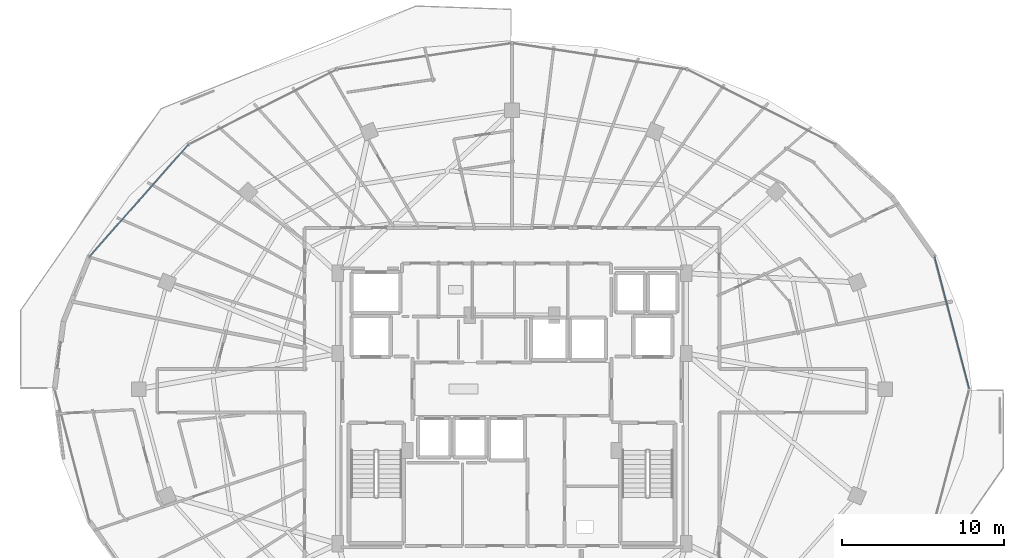
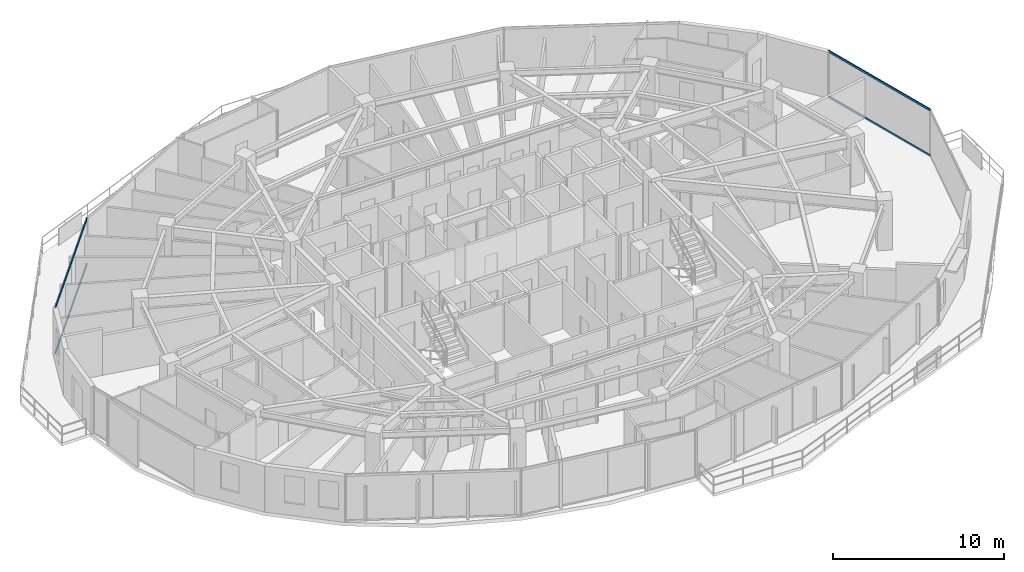
# One storey, part 17 of 34: 4 members, 2 elements without a shape of their own.
"""IFC4 building model written with IfcOpenShell, lengths in metres."""

import ifcopenshell
import ifcopenshell.guid

model = None  # the IFC model being written
_history = None  # IfcOwnerHistory: only IFC2X3 demands one
_inside = {}  # id of a spatial element -> (the spatial element, [elements in it])
_under = {}  # id of a project, library or spatial element -> (it, [spatial elements below it])
_declared = {}  # id of a project -> (the project, [libraries it declares])
_typed = {}  # id of a type object -> (the type object, [elements of that type])
_made_of = {}  # id of a material, layer set ... -> (it, [elements and type objects made of it])


def new_model(schema):
    """Start an empty IFC model of exactly this schema.

    Asked for "IFC4X3", IfcOpenShell would pick the latest addendum, in which some entities
    have other attributes; the version numbers below select the first issue.
    IFC2X3 requires an IfcOwnerHistory on every rooted entity: one is made here for all.
    """
    global model, _history
    if schema == "IFC4X3":
        model = ifcopenshell.file(schema_version=(4, 3, 0, 0))
    else:
        model = ifcopenshell.file(schema=schema)
    _inside.clear()
    _under.clear()
    _declared.clear()
    _typed.clear()
    _made_of.clear()
    _history = None
    if model.schema == "IFC2X3":
        org = make("IfcOrganization", Name="unknown")
        user = make(
            "IfcPersonAndOrganization",
            ThePerson=make("IfcPerson", FamilyName="unknown"),
            TheOrganization=org,
        )
        app = make(
            "IfcApplication",
            ApplicationDeveloper=org,
            Version="unknown",
            ApplicationFullName="unknown",
            ApplicationIdentifier="unknown",
        )
        _history = make(
            "IfcOwnerHistory",
            OwningUser=user,
            OwningApplication=app,
            ChangeAction="ADDED",
            CreationDate=0,
        )
    return model


def make(cls, **values):
    """One entity of the class cls with the attributes given. An attribute that is None is left unset."""
    return model.create_entity(
        cls, **{name: value for name, value in values.items() if value is not None}
    )


def rooted(cls, **values):
    """An entity with a GlobalId (a new one), such as an element, a storey or a relation."""
    return make(cls, GlobalId=ifcopenshell.guid.new(), OwnerHistory=_history, **values)


def si_unit(unit_type, name, prefix=None):
    """IfcSIUnit, for example si_unit("LENGTHUNIT", "METRE", prefix="MILLI")."""
    return make("IfcSIUnit", UnitType=unit_type, Prefix=prefix, Name=name)


def assignment(units):
    """IfcUnitAssignment: the units of a project."""
    return None if units is None else make("IfcUnitAssignment", Units=units)


def point(xyz):
    """IfcCartesianPoint."""
    return None if xyz is None else make("IfcCartesianPoint", Coordinates=xyz)


def direction(xyz):
    """IfcDirection."""
    return None if xyz is None else make("IfcDirection", DirectionRatios=xyz)


def frame(location, z_axis=None, x_axis=None):
    """IfcAxis2Placement3D, a coordinate frame: its origin and axes. An axis left out is left unset."""
    return make(
        "IfcAxis2Placement3D",
        Location=point(location),
        Axis=direction(z_axis),
        RefDirection=direction(x_axis),
    )


def frame_2d(location, x_axis=None):
    """IfcAxis2Placement2D, a coordinate frame in the plane: its origin and x axis."""
    return make(
        "IfcAxis2Placement2D", Location=point(location), RefDirection=direction(x_axis)
    )


def origin():
    """The frame at (0, 0, 0) with its axes left unset."""
    return frame((0.0, 0.0, 0.0))


def origin_2d():
    """The frame at (0, 0) in the plane with its x axis left unset."""
    return frame_2d((0.0, 0.0))


def place(relative_to, where):
    """IfcLocalPlacement: puts the frame where relative to a parent placement (None: the world)."""
    return make(
        "IfcLocalPlacement", PlacementRelTo=relative_to, RelativePlacement=where
    )


def context(
    kind, dimensions, precision=None, world=None, true_north=None, identifier=None
):
    """IfcGeometricRepresentationContext, for example the 3D "Model" context."""
    return make(
        "IfcGeometricRepresentationContext",
        ContextIdentifier=identifier,
        ContextType=kind,
        CoordinateSpaceDimension=dimensions,
        Precision=precision,
        WorldCoordinateSystem=world,
        TrueNorth=true_north,
    )


def subcontext(parent, identifier, kind, view, scale=None):
    """IfcGeometricRepresentationSubContext, for example "Body" below "Model"."""
    return make(
        "IfcGeometricRepresentationSubContext",
        ContextIdentifier=identifier,
        ContextType=kind,
        ParentContext=parent,
        TargetScale=scale,
        TargetView=view,
    )


def project(units=None, contexts=None):
    """IfcProject with its units and contexts."""
    return rooted(
        "IfcProject",
        Name="project",
        RepresentationContexts=contexts,
        UnitsInContext=assignment(units),
    )


def spatial(cls, under=None, at=None, **own):
    """A site, building, storey or space (cls), placed at a placement, below another one or the project."""
    s = rooted(cls, ObjectPlacement=at, **own)
    if under is not None:
        _under.setdefault(under.id(), (under, []))[1].append(s)
    return s


def profile(cls, at=None, kind="AREA", **sizes):
    """A parametric profile (cls). Its sizes go by their IFC names, for example OverallWidth=200.0."""
    return make(cls, ProfileType=kind, Position=at, **sizes)


def hollow_rectangle(**sizes):
    """IfcRectangleHollowProfileDef."""
    return profile("IfcRectangleHollowProfileDef", **sizes)


def extrude(swept, where, along, depth):
    """IfcExtrudedAreaSolid: the profile swept, set in the frame where, extruded along a direction by depth."""
    return make(
        "IfcExtrudedAreaSolid",
        SweptArea=swept,
        Position=where,
        ExtrudedDirection=direction(along),
        Depth=depth,
    )


def shape(context_of_items, identifier, shape_type, items):
    """IfcShapeRepresentation: the items that make up one representation, for example the "Body"."""
    return make(
        "IfcShapeRepresentation",
        ContextOfItems=context_of_items,
        RepresentationIdentifier=identifier,
        RepresentationType=shape_type,
        Items=items,
    )


def material(Name=None, Category=None):
    """IfcMaterial."""
    return make("IfcMaterial", Name=Name, Category=Category)


def material_profile(
    of_material, cross_section, Name=None, Category=None, Priority=None
):
    """IfcMaterialProfile: a cross section and its material."""
    return make(
        "IfcMaterialProfile",
        Name=Name,
        Material=of_material,
        Profile=cross_section,
        Priority=Priority,
        Category=Category,
    )


def profile_set(profiles, Name=None, composite=None):
    """IfcMaterialProfileSet."""
    return make(
        "IfcMaterialProfileSet",
        Name=Name,
        MaterialProfiles=profiles,
        CompositeProfile=composite,
    )


def made_of(thing, what):
    """Note that an element or type object is made of a material, layer set ...; save() writes the relation."""
    if what is not None:
        _made_of.setdefault(what.id(), (what, []))[1].append(thing)
    return thing


def type_object(cls, material=None, **own):
    """A type object (cls), such as IfcWallType, which elements share."""
    return made_of(rooted(cls, **own), material)


def element(
    cls,
    number,
    at=None,
    inside=None,
    cuts=None,
    type_object=None,
    material=None,
    context=None,
    identifier="Body",
    shape_type=None,
    held_by="IfcProductDefinitionShape",
    body=None,
    shapes=None,
    **own,
):
    """One element of the class cls, such as IfcWall. Its Tag is "e" and its number.

    at: its placement. inside: the storey or other place that contains it. cuts: it is an
    opening in that element (IfcRelVoidsElement). A single representation is given by context,
    identifier, shape_type and body (its items); several are given by shapes. held_by: the class
    of the entity that holds the representations. save() writes the other relations.
    """
    e = rooted(cls, Tag="e%d" % number, ObjectPlacement=at, **own)
    if body is not None:
        shapes = [shape(context, identifier, shape_type, body)]
    if shapes is not None:
        e.Representation = make(held_by, Representations=shapes)
    if inside is not None:
        _inside.setdefault(inside.id(), (inside, []))[1].append(e)
    if cuts is not None:
        rooted(
            "IfcRelVoidsElement", RelatingBuildingElement=cuts, RelatedOpeningElement=e
        )
    if type_object is not None:
        _typed.setdefault(type_object.id(), (type_object, []))[1].append(e)
    return made_of(e, material)


def aggregate(whole, parts):
    """IfcRelAggregates: a whole, such as a stair, and the parts it consists of."""
    return rooted("IfcRelAggregates", RelatingObject=whole, RelatedObjects=parts)


def save(model, path):
    """Write the relations noted so far, then the file.

    IfcRelAggregates (storeys below a building ...), IfcRelContainedInSpatialStructure (elements
    in a storey), IfcRelDefinesByType, IfcRelAssociatesMaterial and IfcRelDeclares: one each for
    every whole, place, type object, material and project.
    """
    for whole, parts in _under.values():
        aggregate(whole, parts)
    for where, things in _inside.values():
        rooted(
            "IfcRelContainedInSpatialStructure",
            RelatedElements=things,
            RelatingStructure=where,
        )
    for kind, things in _typed.values():
        rooted("IfcRelDefinesByType", RelatedObjects=things, RelatingType=kind)
    for what, things in _made_of.values():
        rooted("IfcRelAssociatesMaterial", RelatedObjects=things, RelatingMaterial=what)
    for by, libraries in _declared.values():
        rooted("IfcRelDeclares", RelatingContext=by, RelatedDefinitions=libraries)
    model.write(path)


model = new_model("IFC4")

# Units and contexts
model_context = context("Model", 3, precision=1e-05, world=origin(), true_north=direction((0.0, 1.0)))
body_context = subcontext(model_context, "Body", "Model", "MODEL_VIEW")
ifc_project = project(units=[si_unit("LENGTHUNIT", "METRE"), si_unit("AREAUNIT", "SQUARE_METRE"), si_unit("VOLUMEUNIT", "CUBIC_METRE"), si_unit("PLANEANGLEUNIT", "RADIAN"), si_unit("MASSUNIT", "GRAM", prefix="KILO")], contexts=[model_context])

# Site, building, storey
site_placement = place(None, origin())
site = spatial("IfcSite", under=ifc_project, at=site_placement, CompositionType="ELEMENT")
building_placement = place(site_placement, origin())
building = spatial("IfcBuilding", under=site, at=building_placement, Name="Vorneva Point Tower", CompositionType="ELEMENT")
storey_placement = place(building_placement, frame((0.0, 0.0, 214.300048828125)))
storey = spatial("IfcBuildingStorey", under=building, at=storey_placement, Name="L58", CompositionType="ELEMENT", Elevation=214.300048828125)

# Curtain wall, members
ifc_material = material(Name="Pale anodised aluminium", Category="aluminium")
curtain_wall_type = type_object("IfcCurtainWallType", Name="CW-RES-SYS", PredefinedType="NOTDEFINED", material=ifc_material)
curtain_wall_1_placement = place(storey_placement, origin())
curtain_wall_1 = element("IfcCurtainWall", 1, at=curtain_wall_1_placement, inside=storey, type_object=curtain_wall_type, Name="L58 Unitised Curtain Wall CW-L58-R01", PredefinedType="NOTDEFINED")
ifc_material_profile = material_profile(ifc_material, hollow_rectangle(XDim=0.074951171875, YDim=0.14990234375, WallThickness=0.00390625, at=origin_2d()), Name="AL-TRN 150x75x4")
ifc_profile_set = profile_set([ifc_material_profile], Name="Pale anodised aluminium")
member_type = type_object("IfcMemberType", Name="CW-TRN-150", PredefinedType="USERDEFINED", material=ifc_profile_set)
member_1_placement = place(storey_placement, frame((66.22998046875, 26.0, 0.02001953125), z_axis=(-0.254362431281, 0.967108966742, 0.0), x_axis=(-0.967108966742, -0.254362431281, 0.0)))
member_1 = element("IfcMember", 2, at=member_1_placement, type_object=member_type, Name="CW-L58-R01 Transom 02.1", ObjectType="TRANSOM", PredefinedType="USERDEFINED", context=body_context, shape_type="SweptSolid", body=[
    extrude(hollow_rectangle(XDim=0.074951171875, YDim=0.14990234375, WallThickness=0.00390625, at=origin_2d()), origin(), (0.0, 0.0, 1.0), 8.4482421875),
])
member_2_placement = place(storey_placement, frame((66.22998046875, 26.0, 3.27001953125), z_axis=(-0.254362431281, 0.967108966742, 0.0), x_axis=(-0.967108966742, -0.254362431281, 0.0)))
member_2 = element("IfcMember", 3, at=member_2_placement, type_object=member_type, Name="CW-L58-R01 Transom 02.2", ObjectType="TRANSOM", PredefinedType="USERDEFINED", context=body_context, shape_type="SweptSolid", body=[
    extrude(hollow_rectangle(XDim=0.074951171875, YDim=0.14990234375, WallThickness=0.00390625, at=origin_2d()), origin(), (0.0, 0.0, 1.0), 8.4482421875),
])
aggregate(curtain_wall_1, [member_1, member_2])

curtain_wall_2_placement = place(storey_placement, origin())
curtain_wall_2 = element("IfcCurtainWall", 4, at=curtain_wall_2_placement, inside=storey, type_object=curtain_wall_type, Name="L58 Unitised Curtain Wall CW-L58-R02", PredefinedType="NOTDEFINED")
member_3_placement = place(storey_placement, frame((18.038330078125, 41.0966796875, 0.02001953125), z_axis=(-0.662106383869, -0.749409858782, 0.0), x_axis=(0.749409858782, -0.662106383869, 0.0)))
member_3 = element("IfcMember", 5, at=member_3_placement, type_object=member_type, Name="CW-L58-R02 Transom 05.1", ObjectType="TRANSOM", PredefinedType="USERDEFINED", context=body_context, shape_type="SweptSolid", body=[
    extrude(hollow_rectangle(XDim=0.074951171875, YDim=0.14990234375, WallThickness=0.00390625, at=origin_2d()), origin(), (0.0, 0.0, 1.0), 9.2421875),
])
member_4_placement = place(storey_placement, frame((18.038330078125, 41.0966796875, 3.27001953125), z_axis=(-0.662106383869, -0.749409858782, 0.0), x_axis=(0.749409858782, -0.662106383869, 0.0)))
member_4 = element("IfcMember", 6, at=member_4_placement, type_object=member_type, Name="CW-L58-R02 Transom 05.2", ObjectType="TRANSOM", PredefinedType="USERDEFINED", context=body_context, shape_type="SweptSolid", body=[
    extrude(hollow_rectangle(XDim=0.074951171875, YDim=0.14990234375, WallThickness=0.00390625, at=origin_2d()), origin(), (0.0, 0.0, 1.0), 9.2421875),
])
aggregate(curtain_wall_2, [member_3, member_4])

save(model, "model.ifc")
